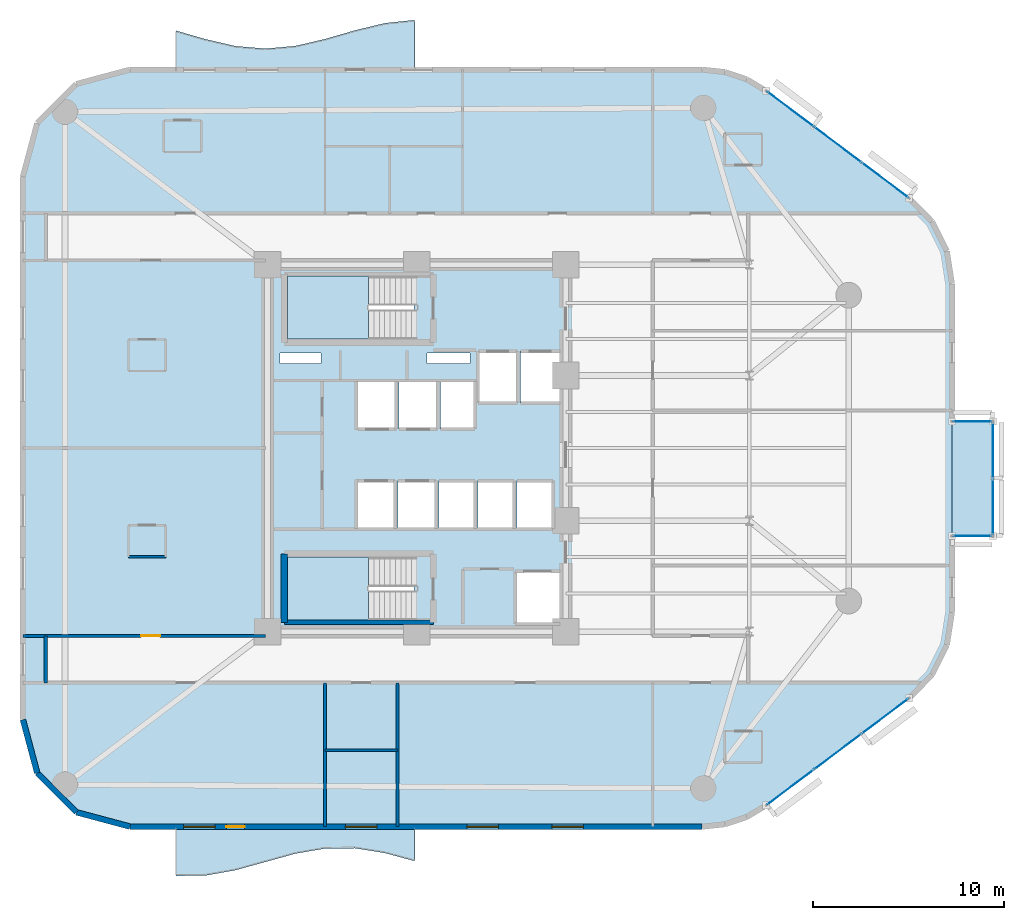
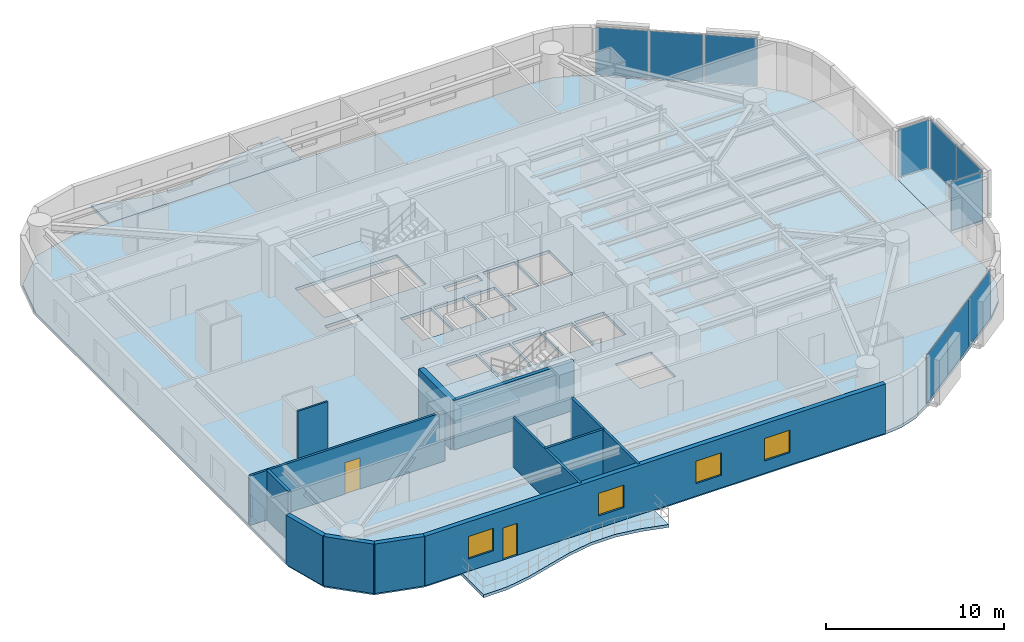
# One storey, part 7 of 13: 12 walls, 10 plates, 6 slabs, 4 windows, 2 doors, 6 openings, 7 elements without a shape of their own.
"""IFC4 building model written with IfcOpenShell, lengths in metres."""

import ifcopenshell
import ifcopenshell.guid

model = None  # the IFC model being written
_history = None  # IfcOwnerHistory: only IFC2X3 demands one
_inside = {}  # id of a spatial element -> (the spatial element, [elements in it])
_under = {}  # id of a project, library or spatial element -> (it, [spatial elements below it])
_declared = {}  # id of a project -> (the project, [libraries it declares])
_typed = {}  # id of a type object -> (the type object, [elements of that type])
_made_of = {}  # id of a material, layer set ... -> (it, [elements and type objects made of it])


def new_model(schema):
    """Start an empty IFC model of exactly this schema.

    Asked for "IFC4X3", IfcOpenShell would pick the latest addendum, in which some entities
    have other attributes; the version numbers below select the first issue.
    IFC2X3 requires an IfcOwnerHistory on every rooted entity: one is made here for all.
    """
    global model, _history
    if schema == "IFC4X3":
        model = ifcopenshell.file(schema_version=(4, 3, 0, 0))
    else:
        model = ifcopenshell.file(schema=schema)
    _inside.clear()
    _under.clear()
    _declared.clear()
    _typed.clear()
    _made_of.clear()
    _history = None
    if model.schema == "IFC2X3":
        org = make("IfcOrganization", Name="unknown")
        user = make(
            "IfcPersonAndOrganization",
            ThePerson=make("IfcPerson", FamilyName="unknown"),
            TheOrganization=org,
        )
        app = make(
            "IfcApplication",
            ApplicationDeveloper=org,
            Version="unknown",
            ApplicationFullName="unknown",
            ApplicationIdentifier="unknown",
        )
        _history = make(
            "IfcOwnerHistory",
            OwningUser=user,
            OwningApplication=app,
            ChangeAction="ADDED",
            CreationDate=0,
        )
    return model


def make(cls, **values):
    """One entity of the class cls with the attributes given. An attribute that is None is left unset."""
    return model.create_entity(
        cls, **{name: value for name, value in values.items() if value is not None}
    )


def rooted(cls, **values):
    """An entity with a GlobalId (a new one), such as an element, a storey or a relation."""
    return make(cls, GlobalId=ifcopenshell.guid.new(), OwnerHistory=_history, **values)


def si_unit(unit_type, name, prefix=None):
    """IfcSIUnit, for example si_unit("LENGTHUNIT", "METRE", prefix="MILLI")."""
    return make("IfcSIUnit", UnitType=unit_type, Prefix=prefix, Name=name)


def assignment(units):
    """IfcUnitAssignment: the units of a project."""
    return None if units is None else make("IfcUnitAssignment", Units=units)


def point(xyz):
    """IfcCartesianPoint."""
    return None if xyz is None else make("IfcCartesianPoint", Coordinates=xyz)


def direction(xyz):
    """IfcDirection."""
    return None if xyz is None else make("IfcDirection", DirectionRatios=xyz)


def frame(location, z_axis=None, x_axis=None):
    """IfcAxis2Placement3D, a coordinate frame: its origin and axes. An axis left out is left unset."""
    return make(
        "IfcAxis2Placement3D",
        Location=point(location),
        Axis=direction(z_axis),
        RefDirection=direction(x_axis),
    )


def frame_2d(location, x_axis=None):
    """IfcAxis2Placement2D, a coordinate frame in the plane: its origin and x axis."""
    return make(
        "IfcAxis2Placement2D", Location=point(location), RefDirection=direction(x_axis)
    )


def origin():
    """The frame at (0, 0, 0) with its axes left unset."""
    return frame((0.0, 0.0, 0.0))


def origin_2d():
    """The frame at (0, 0) in the plane with its x axis left unset."""
    return frame_2d((0.0, 0.0))


def place(relative_to, where):
    """IfcLocalPlacement: puts the frame where relative to a parent placement (None: the world)."""
    return make(
        "IfcLocalPlacement", PlacementRelTo=relative_to, RelativePlacement=where
    )


def context(
    kind, dimensions, precision=None, world=None, true_north=None, identifier=None
):
    """IfcGeometricRepresentationContext, for example the 3D "Model" context."""
    return make(
        "IfcGeometricRepresentationContext",
        ContextIdentifier=identifier,
        ContextType=kind,
        CoordinateSpaceDimension=dimensions,
        Precision=precision,
        WorldCoordinateSystem=world,
        TrueNorth=true_north,
    )


def subcontext(parent, identifier, kind, view, scale=None):
    """IfcGeometricRepresentationSubContext, for example "Body" below "Model"."""
    return make(
        "IfcGeometricRepresentationSubContext",
        ContextIdentifier=identifier,
        ContextType=kind,
        ParentContext=parent,
        TargetScale=scale,
        TargetView=view,
    )


def project(units=None, contexts=None):
    """IfcProject with its units and contexts."""
    return rooted(
        "IfcProject",
        Name="project",
        RepresentationContexts=contexts,
        UnitsInContext=assignment(units),
    )


def spatial(cls, under=None, at=None, **own):
    """A site, building, storey or space (cls), placed at a placement, below another one or the project."""
    s = rooted(cls, ObjectPlacement=at, **own)
    if under is not None:
        _under.setdefault(under.id(), (under, []))[1].append(s)
    return s


def polyline(points):
    """IfcPolyline through the points."""
    return make("IfcPolyline", Points=[point(p) for p in points])


def profile(cls, at=None, kind="AREA", **sizes):
    """A parametric profile (cls). Its sizes go by their IFC names, for example OverallWidth=200.0."""
    return make(cls, ProfileType=kind, Position=at, **sizes)


def rectangle(**sizes):
    """IfcRectangleProfileDef."""
    return profile("IfcRectangleProfileDef", **sizes)


def outline(outer, holes=None, kind="AREA"):
    """IfcArbitraryClosedProfileDef: a profile drawn as a closed curve; with holes, ...WithVoids."""
    if holes is None:
        return make("IfcArbitraryClosedProfileDef", ProfileType=kind, OuterCurve=outer)
    return make(
        "IfcArbitraryProfileDefWithVoids",
        ProfileType=kind,
        OuterCurve=outer,
        InnerCurves=holes,
    )


def extrude(swept, where, along, depth):
    """IfcExtrudedAreaSolid: the profile swept, set in the frame where, extruded along a direction by depth."""
    return make(
        "IfcExtrudedAreaSolid",
        SweptArea=swept,
        Position=where,
        ExtrudedDirection=direction(along),
        Depth=depth,
    )


def shape(context_of_items, identifier, shape_type, items):
    """IfcShapeRepresentation: the items that make up one representation, for example the "Body"."""
    return make(
        "IfcShapeRepresentation",
        ContextOfItems=context_of_items,
        RepresentationIdentifier=identifier,
        RepresentationType=shape_type,
        Items=items,
    )


def material(Name=None, Category=None):
    """IfcMaterial."""
    return make("IfcMaterial", Name=Name, Category=Category)


def layer(
    of_material, thickness, ventilated=None, Name=None, Category=None, Priority=None
):
    """IfcMaterialLayer: one layer of a wall or slab, of a material (None: an air gap)."""
    return make(
        "IfcMaterialLayer",
        Material=of_material,
        LayerThickness=thickness,
        IsVentilated=ventilated,
        Name=Name,
        Category=Category,
        Priority=Priority,
    )


def layer_set(layers, Name=None):
    """IfcMaterialLayerSet."""
    return make("IfcMaterialLayerSet", MaterialLayers=layers, LayerSetName=Name)


def made_of(thing, what):
    """Note that an element or type object is made of a material, layer set ...; save() writes the relation."""
    if what is not None:
        _made_of.setdefault(what.id(), (what, []))[1].append(thing)
    return thing


def type_object(cls, material=None, **own):
    """A type object (cls), such as IfcWallType, which elements share."""
    return made_of(rooted(cls, **own), material)


def element(
    cls,
    number,
    at=None,
    inside=None,
    cuts=None,
    type_object=None,
    material=None,
    context=None,
    identifier="Body",
    shape_type=None,
    held_by="IfcProductDefinitionShape",
    body=None,
    shapes=None,
    **own,
):
    """One element of the class cls, such as IfcWall. Its Tag is "e" and its number.

    at: its placement. inside: the storey or other place that contains it. cuts: it is an
    opening in that element (IfcRelVoidsElement). A single representation is given by context,
    identifier, shape_type and body (its items); several are given by shapes. held_by: the class
    of the entity that holds the representations. save() writes the other relations.
    """
    e = rooted(cls, Tag="e%d" % number, ObjectPlacement=at, **own)
    if body is not None:
        shapes = [shape(context, identifier, shape_type, body)]
    if shapes is not None:
        e.Representation = make(held_by, Representations=shapes)
    if inside is not None:
        _inside.setdefault(inside.id(), (inside, []))[1].append(e)
    if cuts is not None:
        rooted(
            "IfcRelVoidsElement", RelatingBuildingElement=cuts, RelatedOpeningElement=e
        )
    if type_object is not None:
        _typed.setdefault(type_object.id(), (type_object, []))[1].append(e)
    return made_of(e, material)


def fill(opening, filler):
    """IfcRelFillsElement: the door or window that sits in an opening."""
    return rooted(
        "IfcRelFillsElement",
        RelatingOpeningElement=opening,
        RelatedBuildingElement=filler,
    )


def aggregate(whole, parts):
    """IfcRelAggregates: a whole, such as a stair, and the parts it consists of."""
    return rooted("IfcRelAggregates", RelatingObject=whole, RelatedObjects=parts)


def save(model, path):
    """Write the relations noted so far, then the file.

    IfcRelAggregates (storeys below a building ...), IfcRelContainedInSpatialStructure (elements
    in a storey), IfcRelDefinesByType, IfcRelAssociatesMaterial and IfcRelDeclares: one each for
    every whole, place, type object, material and project.
    """
    for whole, parts in _under.values():
        aggregate(whole, parts)
    for where, things in _inside.values():
        rooted(
            "IfcRelContainedInSpatialStructure",
            RelatedElements=things,
            RelatingStructure=where,
        )
    for kind, things in _typed.values():
        rooted("IfcRelDefinesByType", RelatedObjects=things, RelatingType=kind)
    for what, things in _made_of.values():
        rooted("IfcRelAssociatesMaterial", RelatedObjects=things, RelatingMaterial=what)
    for by, libraries in _declared.values():
        rooted("IfcRelDeclares", RelatingContext=by, RelatedDefinitions=libraries)
    model.write(path)


model = new_model("IFC4")

# Units and contexts
model_context = context("Model", 3, precision=1e-05, world=origin(), true_north=direction((0.0, 1.0)))
body_context = subcontext(model_context, "Body", "Model", "MODEL_VIEW")
ifc_project = project(units=[si_unit("LENGTHUNIT", "METRE"), si_unit("AREAUNIT", "SQUARE_METRE"), si_unit("VOLUMEUNIT", "CUBIC_METRE"), si_unit("PLANEANGLEUNIT", "RADIAN"), si_unit("MASSUNIT", "GRAM", prefix="KILO")], contexts=[model_context])

# Site, building, storey
site_placement = place(None, origin())
site = spatial("IfcSite", under=ifc_project, at=site_placement, CompositionType="ELEMENT")
building_placement = place(site_placement, origin())
building = spatial("IfcBuilding", under=site, at=building_placement, Name="An Khanh Terracotta Commons", CompositionType="ELEMENT")
storey_placement = place(building_placement, frame((0.0, 0.0, 125.89990234375)))
storey = spatial("IfcBuildingStorey", under=building, at=storey_placement, Name="L33", CompositionType="ELEMENT", Elevation=125.89990234375)

# Curtain wall, plates
ifc_material_1 = material(Name="Anodised Aluminium 6063-T6", Category="aluminium")
ifc_layer_1 = layer(ifc_material_1, 0.199951171875, Name="Anodised Aluminium 6063-T6")
ifc_layer_set_1 = layer_set([ifc_layer_1], Name="Anodised Aluminium 6063-T6")
curtain_wall_type_1 = type_object("IfcCurtainWallType", Name="CW-SYS-02", PredefinedType="USERDEFINED", material=ifc_layer_set_1)
curtain_wall_1_placement = place(storey_placement, origin())
curtain_wall_1 = element("IfcCurtainWall", 1, at=curtain_wall_1_placement, inside=storey, type_object=curtain_wall_type_1, Name="L33 CW-02 Unitised Curtain Wall CW-L33-08", ObjectType="UNITISED CURTAIN WALL", PredefinedType="USERDEFINED")
ifc_material_2 = material(Name="Double Low-E Solar Control Glazing", Category="glass")
ifc_layer_2 = layer(ifc_material_2, 0.028076171875, Name="Double Low-E Solar Control Glazing")
ifc_layer_set_2 = layer_set([ifc_layer_2], Name="Double Low-E Solar Control Glazing")
plate_type_1 = type_object("IfcPlateType", Name="CWP-IGU-28", PredefinedType="CURTAIN_PANEL", material=ifc_layer_set_2)
plate_1_placement = place(storey_placement, frame((48.951416015625, 6.263916015625, 0.06005859375), z_axis=(0.0, 0.0, 1.0), x_axis=(0.800012856594, 0.599982857492, 0.0)))
plate_1 = element("IfcPlate", 2, at=plate_1_placement, type_object=plate_type_1, Name="CW-02 panel 1.1", PredefinedType="CURTAIN_PANEL", context=body_context, shape_type="SweptSolid", body=[
    extrude(rectangle(XDim=3.006103515625, YDim=0.028076171875, at=origin_2d()), origin(), (0.0, 0.0, 1.0), 3.280029296875),
])
plate_2_placement = place(storey_placement, frame((51.426513671875, 8.1201171875, 0.06005859375), z_axis=(0.0, 0.0, 1.0), x_axis=(0.800012856594, 0.599982857492, 0.0)))
plate_2 = element("IfcPlate", 3, at=plate_2_placement, type_object=plate_type_1, Name="CW-02 panel 2.1", PredefinedType="CURTAIN_PANEL", context=body_context, shape_type="SweptSolid", body=[
    extrude(rectangle(XDim=3.041259765625, YDim=0.028076171875, at=origin_2d()), origin(), (0.0, 0.0, 1.0), 3.280029296875),
])
plate_3_placement = place(storey_placement, frame((53.901611328125, 9.97607421875, 0.06005859375), z_axis=(0.0, 0.0, 1.0), x_axis=(0.800012856594, 0.599982857492, 0.0)))
plate_3 = element("IfcPlate", 4, at=plate_3_placement, type_object=plate_type_1, Name="CW-02 panel 3.1", PredefinedType="CURTAIN_PANEL", context=body_context, shape_type="SweptSolid", body=[
    extrude(rectangle(XDim=3.006103515625, YDim=0.028076171875, at=origin_2d()), origin(), (0.0, 0.0, 1.0), 3.280029296875),
])
aggregate(curtain_wall_1, [plate_1, plate_2, plate_3])

curtain_wall_2_placement = place(storey_placement, origin())
curtain_wall_2 = element("IfcCurtainWall", 5, at=curtain_wall_2_placement, inside=storey, type_object=curtain_wall_type_1, Name="L33 CW-02 Unitised Curtain Wall CW-L33-16", ObjectType="UNITISED CURTAIN WALL", PredefinedType="USERDEFINED")
plate_4_placement = place(storey_placement, frame((53.901611328125, 38.02392578125, 0.06005859375), z_axis=(0.0, 0.0, 1.0), x_axis=(-0.800012856594, 0.599982857492, 0.0)))
plate_4 = element("IfcPlate", 6, at=plate_4_placement, type_object=plate_type_1, Name="CW-02 panel 1.1", PredefinedType="CURTAIN_PANEL", context=body_context, shape_type="SweptSolid", body=[
    extrude(rectangle(XDim=3.006103515625, YDim=0.028076171875, at=origin_2d()), origin(), (0.0, 0.0, 1.0), 3.280029296875),
])
plate_5_placement = place(storey_placement, frame((51.426513671875, 39.8798828125, 0.06005859375), z_axis=(0.0, 0.0, 1.0), x_axis=(-0.800012856594, 0.599982857492, 0.0)))
plate_5 = element("IfcPlate", 7, at=plate_5_placement, type_object=plate_type_1, Name="CW-02 panel 2.1", PredefinedType="CURTAIN_PANEL", context=body_context, shape_type="SweptSolid", body=[
    extrude(rectangle(XDim=3.041259765625, YDim=0.028076171875, at=origin_2d()), origin(), (0.0, 0.0, 1.0), 3.280029296875),
])
plate_6_placement = place(storey_placement, frame((48.951416015625, 41.736083984375, 0.06005859375), z_axis=(0.0, 0.0, 1.0), x_axis=(-0.800012856594, 0.599982857492, 0.0)))
plate_6 = element("IfcPlate", 8, at=plate_6_placement, type_object=plate_type_1, Name="CW-02 panel 3.1", PredefinedType="CURTAIN_PANEL", context=body_context, shape_type="SweptSolid", body=[
    extrude(rectangle(XDim=3.006103515625, YDim=0.028076171875, at=origin_2d()), origin(), (0.0, 0.0, 1.0), 3.280029296875),
])
aggregate(curtain_wall_2, [plate_4, plate_5, plate_6])

ifc_layer_3 = layer(ifc_material_1, 0.239990234375, Name="Anodised Aluminium 6063-T6")
ifc_layer_set_3 = layer_set([ifc_layer_3], Name="Anodised Aluminium 6063-T6")
curtain_wall_type_2 = type_object("IfcCurtainWallType", Name="CW-SYS-04", PredefinedType="USERDEFINED", material=ifc_layer_set_3)
curtain_wall_3_placement = place(storey_placement, origin())
curtain_wall_3 = element("IfcCurtainWall", 9, at=curtain_wall_3_placement, inside=storey, type_object=curtain_wall_type_2, Name="L33 CW-04 Unitised Curtain Wall CW-L33-EBOX-1", ObjectType="UNITISED CURTAIN WALL", PredefinedType="USERDEFINED")
ifc_material_3 = material(Name="Triple-Silver Sky-Lobby Glazing", Category="glass")
ifc_layer_4 = layer(ifc_material_3, 0.0400390625, Name="Triple-Silver Sky-Lobby Glazing")
ifc_layer_set_4 = layer_set([ifc_layer_4], Name="Triple-Silver Sky-Lobby Glazing")
plate_type_2 = type_object("IfcPlateType", Name="CWP-IGU-40", PredefinedType="CURTAIN_PANEL", material=ifc_layer_set_4)
plate_7_placement = place(storey_placement, frame((59.550048828125, 20.916259765625, 0.06005859375), z_axis=(0.0, 0.0, 1.0), x_axis=(0.0, 1.0, 0.0)))
plate_7 = element("IfcPlate", 10, at=plate_7_placement, type_object=plate_type_2, Name="CW-04 panel 1.1", PredefinedType="CURTAIN_PANEL", context=body_context, shape_type="SweptSolid", body=[
    extrude(rectangle(XDim=2.902587890625, YDim=0.0400390625, at=origin_2d()), origin(), (0.0, 0.0, 1.0), 3.280029296875),
])
plate_8_placement = place(storey_placement, frame((59.550048828125, 23.8837890625, 0.06005859375), z_axis=(0.0, 0.0, 1.0), x_axis=(0.0, 1.0, 0.0)))
plate_8 = element("IfcPlate", 11, at=plate_8_placement, type_object=plate_type_2, Name="CW-04 panel 2.1", PredefinedType="CURTAIN_PANEL", context=body_context, shape_type="SweptSolid", body=[
    extrude(rectangle(XDim=2.902587890625, YDim=0.0400390625, at=origin_2d()), origin(), (0.0, 0.0, 1.0), 3.280029296875),
])
aggregate(curtain_wall_3, [plate_7, plate_8])

# Curtain wall, plate
curtain_wall_4_placement = place(storey_placement, origin())
curtain_wall_4 = element("IfcCurtainWall", 12, at=curtain_wall_4_placement, inside=storey, type_object=curtain_wall_type_2, Name="L33 CW-04 Unitised Curtain Wall CW-L33-EBOX-2", ObjectType="UNITISED CURTAIN WALL", PredefinedType="USERDEFINED")
plate_9_placement = place(storey_placement, frame((58.47509765625, 19.39990234375, 0.06005859375), z_axis=(0.0, 0.0, 1.0), x_axis=(1.0, 0.0, 0.0)))
plate_9 = element("IfcPlate", 13, at=plate_9_placement, type_object=plate_type_2, Name="CW-04 panel 1.1", PredefinedType="CURTAIN_PANEL", context=body_context, shape_type="SweptSolid", body=[
    extrude(rectangle(XDim=2.02001953125, YDim=0.0400390625, at=origin_2d()), origin(), (0.0, 0.0, 1.0), 3.280029296875),
])
aggregate(curtain_wall_4, [plate_9])

curtain_wall_5_placement = place(storey_placement, origin())
curtain_wall_5 = element("IfcCurtainWall", 14, at=curtain_wall_5_placement, inside=storey, type_object=curtain_wall_type_2, Name="L33 CW-04 Unitised Curtain Wall CW-L33-EBOX-3", ObjectType="UNITISED CURTAIN WALL", PredefinedType="USERDEFINED")
plate_10_placement = place(storey_placement, frame((58.47509765625, 25.39990234375, 0.06005859375), z_axis=(0.0, 0.0, 1.0), x_axis=(-1.0, 0.0, 0.0)))
plate_10 = element("IfcPlate", 15, at=plate_10_placement, type_object=plate_type_2, Name="CW-04 panel 1.1", PredefinedType="CURTAIN_PANEL", context=body_context, shape_type="SweptSolid", body=[
    extrude(rectangle(XDim=2.02001953125, YDim=0.0400390625, at=origin_2d()), origin(), (0.0, 0.0, 1.0), 3.280029296875),
])
aggregate(curtain_wall_5, [plate_10])

# Slabs
ifc_material_4 = material(Name="Concrete C40/50", Category="concrete")
ifc_layer_5 = layer(ifc_material_4, 0.199951171875, Name="Concrete C40/50")
ifc_layer_set_5 = layer_set([ifc_layer_5], Name="Concrete C40/50")
slab_type_1 = type_object("IfcSlabType", Name="SLAB-BALC-200", PredefinedType="FLOOR", material=ifc_layer_set_5)
slab_1_placement = place(storey_placement, frame((0.0, 0.0, -0.199951171875)))
element("IfcSlab", 16, at=slab_1_placement, inside=storey, type_object=slab_type_1, Name="L33 S Sinusoidal Wave Balcony Slab", PredefinedType="FLOOR", context=body_context, shape_type="SweptSolid", body=[
    extrude(outline(polyline([(16.800048828125, 4.199951171875), (16.800048828125, 1.6259765625), (18.363037109375, 1.64599609375), (19.925048828125, 1.923095703125), (21.488037109375, 2.35595703125), (23.050048828125, 2.787109375), (24.613037109375, 3.05810546875), (26.175048828125, 3.071044921875), (27.738037109375, 2.821044921875), (29.300048828125, 2.39892578125), (29.300048828125, 4.199951171875), (16.800048828125, 4.199951171875)])), origin(), (0.0, 0.0, 1.0), 0.199951171875),
])
slab_2_placement = place(storey_placement, frame((0.0, 0.0, -0.199951171875)))
element("IfcSlab", 17, at=slab_2_placement, inside=storey, type_object=slab_type_1, Name="L33 N Sinusoidal Wave Balcony Slab", PredefinedType="FLOOR", context=body_context, shape_type="SweptSolid", body=[
    extrude(outline(polyline([(29.300048828125, 43.800048828125), (29.300048828125, 46.39794921875), (27.738037109375, 46.23388671875), (26.175048828125, 45.85595703125), (24.613037109375, 45.403076171875), (23.050048828125, 45.0400390625), (21.488037109375, 44.89990234375), (19.925048828125, 45.032958984375), (18.363037109375, 45.39208984375), (16.800048828125, 45.843994140625), (16.800048828125, 43.800048828125), (29.300048828125, 43.800048828125)])), origin(), (0.0, 0.0, 1.0), 0.199951171875),
])

# Stair, slab
ifc_material_5 = material(Name="Precast concrete C40/50", Category="concrete")
stair_type = type_object("IfcStairType", Name="STAIR-CORE-1550", PredefinedType="HALF_TURN_STAIR", material=ifc_material_5)
stair_1_placement = place(storey_placement, origin())
stair_1 = element("IfcStair", 18, at=stair_1_placement, inside=storey, type_object=stair_type, Name="L33 Core Smokeproof Exit Stair ST-01", PredefinedType="HALF_TURN_STAIR")
ifc_layer_6 = layer(ifc_material_4, 0.18994140625, Name="Concrete C40/50")
ifc_layer_set_6 = layer_set([ifc_layer_6], Name="Concrete C40/50")
slab_type_2 = type_object("IfcSlabType", Name="SLAB-LANDING-190", PredefinedType="LANDING", material=ifc_layer_set_6)
slab_3_placement = place(storey_placement, frame((0.0, 0.0, 1.60009765625)))
slab_3 = element("IfcSlab", 19, at=slab_3_placement, type_object=slab_type_2, Name="ST-01 landing 1", PredefinedType="LANDING", context=body_context, shape_type="SweptSolid", body=[
    extrude(outline(polyline([(26.889892578125, 33.0), (22.64990234375, 33.0), (22.64990234375, 29.699951171875), (26.889892578125, 29.699951171875), (26.889892578125, 33.0)])), origin(), (0.0, 0.0, 1.0), 0.199951171875),
])
aggregate(stair_1, [slab_3])

stair_2_placement = place(storey_placement, origin())
stair_2 = element("IfcStair", 20, at=stair_2_placement, inside=storey, type_object=stair_type, Name="L33 Core Smokeproof Exit Stair ST-02", PredefinedType="HALF_TURN_STAIR")
slab_4_placement = place(storey_placement, frame((0.0, 0.0, 1.60009765625)))
slab_4 = element("IfcSlab", 21, at=slab_4_placement, type_object=slab_type_2, Name="ST-02 landing 1", PredefinedType="LANDING", context=body_context, shape_type="SweptSolid", body=[
    extrude(outline(polyline([(26.889892578125, 18.300048828125), (22.64990234375, 18.300048828125), (22.64990234375, 15.0), (26.889892578125, 15.0), (26.889892578125, 18.300048828125)])), origin(), (0.0, 0.0, 1.0), 0.199951171875),
])
aggregate(stair_2, [slab_4])

# Slabs
ifc_layer_7 = layer(ifc_material_4, 0.199951171875, Name="Concrete C40/50")
ifc_layer_set_7 = layer_set([ifc_layer_7], Name="Concrete C40/50")
slab_type_3 = type_object("IfcSlabType", Name="SLAB-TYP-200", PredefinedType="FLOOR", material=ifc_layer_set_7)
slab_5_placement = place(storey_placement, frame((0.0, 0.0, -0.199951171875)))
element("IfcSlab", 22, at=slab_5_placement, inside=storey, type_object=slab_type_3, Name="L33 Structural Floor Slab", PredefinedType="FLOOR", context=body_context, shape_type="SweptSolid", body=[
    extrude(outline(polyline([(8.800048828125, 9.800048828125), (9.550048828125, 7.0), (11.60009765625, 4.949951171875), (14.39990234375, 4.199951171875), (44.3330078125, 4.199951171875), (45.52490234375, 4.327880859375), (46.6630859375, 4.70703125), (47.693115234375, 5.320068359375), (55.159912109375, 10.919921875), (56.364013671875, 12.154052734375), (57.135009765625, 13.696044921875), (57.39990234375, 15.39990234375), (57.39990234375, 32.60009765625), (57.135009765625, 34.303955078125), (56.364013671875, 35.845947265625), (55.159912109375, 37.080078125), (47.693115234375, 42.679931640625), (46.6630859375, 43.29296875), (45.52490234375, 43.672119140625), (44.3330078125, 43.800048828125), (14.39990234375, 43.800048828125), (11.60009765625, 43.050048828125), (9.550048828125, 41.0), (8.800048828125, 38.199951171875), (8.800048828125, 9.800048828125)]), holes=[polyline([(22.64990234375, 29.699951171875), (29.27001953125, 29.699951171875), (29.27001953125, 33.0), (22.64990234375, 33.0), (22.64990234375, 29.699951171875)]), polyline([(22.64990234375, 15.0), (29.27001953125, 15.0), (29.27001953125, 18.300048828125), (22.64990234375, 18.300048828125), (22.64990234375, 15.0)]), polyline([(32.60009765625, 26.35009765625), (34.679931640625, 26.35009765625), (34.679931640625, 29.080078125), (32.60009765625, 29.080078125), (32.60009765625, 26.35009765625)]), polyline([(34.820068359375, 26.35009765625), (36.89990234375, 26.35009765625), (36.89990234375, 29.080078125), (34.820068359375, 29.080078125), (34.820068359375, 26.35009765625)]), polyline([(34.550048828125, 14.800048828125), (36.89990234375, 14.800048828125), (36.89990234375, 17.550048828125), (34.550048828125, 17.550048828125), (34.550048828125, 14.800048828125)]), polyline([(26.320068359375, 25.0), (28.340087890625, 25.0), (28.340087890625, 27.5), (26.320068359375, 27.5), (26.320068359375, 25.0)]), polyline([(28.47998046875, 25.0), (30.5, 25.0), (30.5, 27.5), (28.47998046875, 27.5), (28.47998046875, 25.0)]), polyline([(26.280029296875, 19.800048828125), (28.280029296875, 19.800048828125), (28.280029296875, 22.300048828125), (26.280029296875, 22.300048828125), (26.280029296875, 19.800048828125)]), polyline([(28.419921875, 19.800048828125), (30.419921875, 19.800048828125), (30.419921875, 22.300048828125), (28.419921875, 22.300048828125), (28.419921875, 19.800048828125)]), polyline([(30.639892578125, 25.0), (32.4599609375, 25.0), (32.4599609375, 27.5), (30.639892578125, 27.5), (30.639892578125, 25.0)]), polyline([(30.56005859375, 19.800048828125), (32.4599609375, 19.800048828125), (32.4599609375, 22.300048828125), (30.56005859375, 22.300048828125), (30.56005859375, 19.800048828125)]), polyline([(32.60009765625, 19.800048828125), (34.5, 19.800048828125), (34.5, 22.300048828125), (32.60009765625, 22.300048828125), (32.60009765625, 19.800048828125)]), polyline([(34.639892578125, 19.800048828125), (36.5400390625, 19.800048828125), (36.5400390625, 22.300048828125), (34.639892578125, 22.300048828125), (34.639892578125, 19.800048828125)]), polyline([(22.25, 28.419921875), (24.39990234375, 28.419921875), (24.39990234375, 28.97998046875), (22.25, 28.97998046875), (22.25, 28.419921875)]), polyline([(29.949951171875, 28.419921875), (32.199951171875, 28.419921875), (32.199951171875, 28.97998046875), (29.949951171875, 28.97998046875), (29.949951171875, 28.419921875)])]), origin(), (0.0, 0.0, 1.0), 0.199951171875),
])
slab_6_placement = place(storey_placement, frame((0.0, 0.0, -0.199951171875)))
element("IfcSlab", 23, at=slab_6_placement, inside=storey, type_object=slab_type_3, Name="L33 Shifted Social Kitchen Box Floor Slab", PredefinedType="FLOOR", context=body_context, shape_type="SweptSolid", body=[
    extrude(outline(polyline([(57.39990234375, 19.39990234375), (59.550048828125, 19.39990234375), (59.550048828125, 25.39990234375), (57.39990234375, 25.39990234375), (57.39990234375, 19.39990234375)])), origin(), (0.0, 0.0, 1.0), 0.199951171875),
])

# Walls
ifc_material_6 = material(Name="Fire-Rated Gypsum Board on Steel Stud", Category="steel")
ifc_layer_8 = layer(ifc_material_6, 0.179931640625, Name="Fire-Rated Gypsum Board on Steel Stud")
ifc_layer_set_8 = layer_set([ifc_layer_8], Name="Fire-Rated Gypsum Board on Steel Stud")
wall_type_1 = type_object("IfcWallType", Name="WALL-CORR-180", PredefinedType="PARTITIONING", material=ifc_layer_set_8)
wall_1_placement = place(storey_placement, frame((10.0, 11.719970703125, 0.0), z_axis=(0.0, 0.0, 1.0), x_axis=(0.0, 1.0, 0.0)))
element("IfcWall", 24, at=wall_1_placement, inside=storey, type_object=wall_type_1, Name="L33 Interior Partition IW-L33-E013", PredefinedType="PARTITIONING", context=body_context, shape_type="SweptSolid", body=[
    extrude(rectangle(XDim=2.4599609375, YDim=0.179931640625, at=frame_2d((1.22998046875, 0.0))), origin(), (0.0, 0.0, 1.0), 3.400146484375),
])
ifc_layer_9 = layer(ifc_material_5, 0.300048828125, Name="Precast concrete C40/50")
ifc_layer_set_9 = layer_set([ifc_layer_9], Name="Precast concrete C40/50")
wall_type_2 = type_object("IfcWallType", Name="WALL-EXT-300", PredefinedType="SOLIDWALL", material=ifc_layer_set_9)
wall_2_placement = place(storey_placement, frame((8.800048828125, 9.800048828125, 0.0), z_axis=(0.0, 0.0, 1.0), x_axis=(0.258731875344, -0.96594917914, 0.0)))
element("IfcWall", 25, at=wall_2_placement, inside=storey, type_object=wall_type_2, Name="L33 Insulated Terracotta Exterior Wall 1", PredefinedType="SOLIDWALL", context=body_context, shape_type="SweptSolid", body=[
    extrude(rectangle(XDim=2.898681640625, YDim=0.300048828125, at=frame_2d((1.44921875, 0.0))), origin(), (0.0, 0.0, 1.0), 3.400146484375),
])
wall_3_placement = place(storey_placement, frame((9.550048828125, 7.0, 0.0), z_axis=(0.0, 0.0, 1.0), x_axis=(0.707106781187, -0.707106781187, 0.0)))
element("IfcWall", 26, at=wall_3_placement, inside=storey, type_object=wall_type_2, Name="L33 Insulated Terracotta Exterior Wall 2", PredefinedType="SOLIDWALL", context=body_context, shape_type="SweptSolid", body=[
    extrude(rectangle(XDim=2.899169921875, YDim=0.300048828125, at=frame_2d((1.44970703125, 0.0))), origin(), (0.0, 0.0, 1.0), 3.400146484375),
])
wall_4_placement = place(storey_placement, frame((11.60009765625, 4.949951171875, 0.0), z_axis=(0.0, 0.0, 1.0), x_axis=(0.965943540406, -0.258752926066, 0.0)))
element("IfcWall", 27, at=wall_4_placement, inside=storey, type_object=wall_type_2, Name="L33 Insulated Terracotta Exterior Wall 3", PredefinedType="SOLIDWALL", context=body_context, shape_type="SweptSolid", body=[
    extrude(rectangle(XDim=2.8984375, YDim=0.300048828125, at=frame_2d((1.44921875, 0.0))), origin(), (0.0, 0.0, 1.0), 3.400146484375),
])

# Wall, openings, door, windows
wall_5_placement = place(storey_placement, frame((14.39990234375, 4.199951171875, 0.0), z_axis=(0.0, 0.0, 1.0), x_axis=(1.0, 0.0, 0.0)))
wall_5 = element("IfcWall", 28, at=wall_5_placement, inside=storey, type_object=wall_type_2, Name="L33 Insulated Terracotta Exterior Wall 4", PredefinedType="SOLIDWALL", context=body_context, shape_type="SweptSolid", body=[
    extrude(rectangle(XDim=29.93310546875, YDim=0.300048828125, at=frame_2d((14.966552734375, 0.0))), origin(), (0.0, 0.0, 1.0), 3.400146484375),
])
opening_1_placement = place(wall_5_placement, frame((5.050048828125, 0.0, 0.0)))
opening_1 = element("IfcOpeningElement", 29, at=opening_1_placement, cuts=wall_5, Name="Opening D-BAL", PredefinedType="OPENING", context=body_context, shape_type="SweptSolid", body=[
    extrude(rectangle(XDim=0.949951171875, YDim=2.199951171875, at=frame_2d((0.47509765625, 1.10009765625))), frame((0.0, 0.159912109375, 0.0), z_axis=(0.0, -1.0, 0.0), x_axis=(1.0, 0.0, 0.0)), (0.0, 0.0, 1.0), 0.320068359375),
])
opening_2_placement = place(wall_5_placement, frame((2.80810546875, 0.0, 0.85009765625)))
opening_2 = element("IfcOpeningElement", 30, at=opening_2_placement, cuts=wall_5, Name="Opening W-02", PredefinedType="OPENING", context=body_context, shape_type="SweptSolid", body=[
    extrude(rectangle(XDim=1.64990234375, YDim=1.550048828125, at=frame_2d((0.824951171875, 0.77490234375))), frame((0.0, 0.159912109375, 0.0), z_axis=(0.0, -1.0, 0.0), x_axis=(1.0, 0.0, 0.0)), (0.0, 0.0, 1.0), 0.320068359375),
])
opening_3_placement = place(wall_5_placement, frame((11.27490234375, 0.0, 0.85009765625)))
opening_3 = element("IfcOpeningElement", 31, at=opening_3_placement, cuts=wall_5, Name="Opening W-02", PredefinedType="OPENING", context=body_context, shape_type="SweptSolid", body=[
    extrude(rectangle(XDim=1.64990234375, YDim=1.550048828125, at=frame_2d((0.824951171875, 0.77490234375))), frame((0.0, 0.159912109375, 0.0), z_axis=(0.0, -1.0, 0.0), x_axis=(1.0, 0.0, 0.0)), (0.0, 0.0, 1.0), 0.320068359375),
])
opening_4_placement = place(wall_5_placement, frame((17.625, 0.0, 0.85009765625)))
opening_4 = element("IfcOpeningElement", 32, at=opening_4_placement, cuts=wall_5, Name="Opening W-02", PredefinedType="OPENING", context=body_context, shape_type="SweptSolid", body=[
    extrude(rectangle(XDim=1.64990234375, YDim=1.550048828125, at=frame_2d((0.824951171875, 0.77490234375))), frame((0.0, 0.159912109375, 0.0), z_axis=(0.0, -1.0, 0.0), x_axis=(1.0, 0.0, 0.0)), (0.0, 0.0, 1.0), 0.320068359375),
])
opening_5_placement = place(wall_5_placement, frame((22.074951171875, 0.0, 0.85009765625)))
opening_5 = element("IfcOpeningElement", 33, at=opening_5_placement, cuts=wall_5, Name="Opening W-02", PredefinedType="OPENING", context=body_context, shape_type="SweptSolid", body=[
    extrude(rectangle(XDim=1.64990234375, YDim=1.550048828125, at=frame_2d((0.824951171875, 0.77490234375))), frame((0.0, 0.159912109375, 0.0), z_axis=(0.0, -1.0, 0.0), x_axis=(1.0, 0.0, 0.0)), (0.0, 0.0, 1.0), 0.320068359375),
])
ifc_material_7 = material(Name="Thermally Broken Aluminium and Low-E Glass", Category="aluminium")
door_type_1 = type_object("IfcDoorType", Name="DOOR-BALC-950", OperationType="NOTDEFINED", PredefinedType="DOOR", material=ifc_material_7)
door_1_placement = place(opening_1_placement, origin())
door_1 = element("IfcDoor", 34, at=door_1_placement, inside=storey, type_object=door_type_1, Name="L33 S Wave Balcony Glazed Door", OperationType="SINGLE_SWING_LEFT", OverallHeight=2.199951171875, OverallWidth=0.949951171875, PredefinedType="DOOR", context=body_context, shape_type="SweptSolid", body=[
    extrude(rectangle(XDim=0.949951171875, YDim=2.199951171875, at=frame_2d((0.47509765625, 1.10009765625))), frame((0.0, 0.02490234375, 0.0), z_axis=(0.0, -1.0, 0.0), x_axis=(1.0, 0.0, 0.0)), (0.0, 0.0, 1.0), 0.050048828125),
])
fill(opening_1, door_1)
window_type = type_object("IfcWindowType", Name="WIN-Z2-1650x1550", PartitioningType="DOUBLE_PANEL_VERTICAL", PredefinedType="WINDOW", material=ifc_material_7)
window_1_placement = place(opening_2_placement, origin())
window_1 = element("IfcWindow", 35, at=window_1_placement, inside=storey, type_object=window_type, Name="L33 Operable Casement Window 4.1", OverallHeight=1.550048828125, OverallWidth=1.64990234375, PartitioningType="DOUBLE_PANEL_VERTICAL", PredefinedType="WINDOW", context=body_context, shape_type="SweptSolid", body=[
    extrude(rectangle(XDim=1.64990234375, YDim=1.550048828125, at=frame_2d((0.824951171875, 0.77490234375))), frame((0.0, 0.030029296875, 0.0), z_axis=(0.0, -1.0, 0.0), x_axis=(1.0, 0.0, 0.0)), (0.0, 0.0, 1.0), 0.06005859375),
])
fill(opening_2, window_1)
window_2_placement = place(opening_3_placement, origin())
window_2 = element("IfcWindow", 36, at=window_2_placement, inside=storey, type_object=window_type, Name="L33 Operable Casement Window 4.2", OverallHeight=1.550048828125, OverallWidth=1.64990234375, PartitioningType="DOUBLE_PANEL_VERTICAL", PredefinedType="WINDOW", context=body_context, shape_type="SweptSolid", body=[
    extrude(rectangle(XDim=1.64990234375, YDim=1.550048828125, at=frame_2d((0.824951171875, 0.77490234375))), frame((0.0, 0.030029296875, 0.0), z_axis=(0.0, -1.0, 0.0), x_axis=(1.0, 0.0, 0.0)), (0.0, 0.0, 1.0), 0.06005859375),
])
fill(opening_3, window_2)
window_3_placement = place(opening_4_placement, origin())
window_3 = element("IfcWindow", 37, at=window_3_placement, inside=storey, type_object=window_type, Name="L33 Operable Casement Window 4.3", OverallHeight=1.550048828125, OverallWidth=1.64990234375, PartitioningType="DOUBLE_PANEL_VERTICAL", PredefinedType="WINDOW", context=body_context, shape_type="SweptSolid", body=[
    extrude(rectangle(XDim=1.64990234375, YDim=1.550048828125, at=frame_2d((0.824951171875, 0.77490234375))), frame((0.0, 0.030029296875, 0.0), z_axis=(0.0, -1.0, 0.0), x_axis=(1.0, 0.0, 0.0)), (0.0, 0.0, 1.0), 0.06005859375),
])
fill(opening_4, window_3)
window_4_placement = place(opening_5_placement, origin())
window_4 = element("IfcWindow", 38, at=window_4_placement, inside=storey, type_object=window_type, Name="L33 Operable Casement Window 4.4", OverallHeight=1.550048828125, OverallWidth=1.64990234375, PartitioningType="DOUBLE_PANEL_VERTICAL", PredefinedType="WINDOW", context=body_context, shape_type="SweptSolid", body=[
    extrude(rectangle(XDim=1.64990234375, YDim=1.550048828125, at=frame_2d((0.824951171875, 0.77490234375))), frame((0.0, 0.030029296875, 0.0), z_axis=(0.0, -1.0, 0.0), x_axis=(1.0, 0.0, 0.0)), (0.0, 0.0, 1.0), 0.06005859375),
])
fill(opening_5, window_4)

# Wall
ifc_material_8 = material(Name="Acoustic Gypsum Board Partition")
ifc_layer_10 = layer(ifc_material_8, 0.14990234375, Name="Acoustic Gypsum Board Partition")
ifc_layer_set_10 = layer_set([ifc_layer_10], Name="Acoustic Gypsum Board Partition")
wall_type_3 = type_object("IfcWallType", Name="WALL-PART-150", PredefinedType="PARTITIONING", material=ifc_layer_set_10)
wall_6_placement = place(storey_placement, frame((24.60009765625, 8.199951171875, 0.0), z_axis=(0.0, 0.0, 1.0), x_axis=(1.0, 0.0, 0.0)))
element("IfcWall", 39, at=wall_6_placement, inside=storey, type_object=wall_type_3, Name="L33 Interior Partition IW-L33-E001", PredefinedType="PARTITIONING", context=body_context, shape_type="SweptSolid", body=[
    extrude(rectangle(XDim=3.7998046875, YDim=0.14990234375, at=frame_2d((1.89990234375, 0.0))), origin(), (0.0, 0.0, 1.0), 3.400146484375),
])

# Wall, opening, door
wall_7_placement = place(storey_placement, frame((8.800048828125, 14.179931640625, 0.0), z_axis=(0.0, 0.0, 1.0), x_axis=(1.0, 0.0, 0.0)))
wall_7 = element("IfcWall", 40, at=wall_7_placement, inside=storey, type_object=wall_type_3, Name="L33 Interior Partition IW-L33-E003", PredefinedType="PARTITIONING", context=body_context, shape_type="SweptSolid", body=[
    extrude(rectangle(XDim=12.679931640625, YDim=0.14990234375, at=frame_2d((6.33984375, 0.0))), origin(), (0.0, 0.0, 1.0), 3.400146484375),
])
opening_6_placement = place(wall_7_placement, frame((6.179931640625, 0.0, 0.0)))
opening_6 = element("IfcOpeningElement", 41, at=opening_6_placement, cuts=wall_7, Name="Opening D-UN", PredefinedType="OPENING", context=body_context, shape_type="SweptSolid", body=[
    extrude(rectangle(XDim=1.0, YDim=2.14990234375, at=frame_2d((0.5, 1.074951171875))), frame((0.0, 0.0849609375, 0.0), z_axis=(0.0, -1.0, 0.0), x_axis=(1.0, 0.0, 0.0)), (0.0, 0.0, 1.0), 0.169921875),
])
ifc_material_9 = material(Name="Solid-Core Hardwood Acoustic Fire Door", Category="wood")
door_type_2 = type_object("IfcDoorType", Name="DOOR-UNIT-1000", OperationType="NOTDEFINED", PredefinedType="DOOR", material=ifc_material_9)
door_2_placement = place(opening_6_placement, origin())
door_2 = element("IfcDoor", 42, at=door_2_placement, inside=storey, type_object=door_type_2, Name="L33 WW1 Kitchenette and Studio Apartment Door", OperationType="SINGLE_SWING_RIGHT", OverallHeight=2.14990234375, OverallWidth=1.0, PredefinedType="DOOR", context=body_context, shape_type="SweptSolid", body=[
    extrude(rectangle(XDim=1.0, YDim=2.14990234375, at=frame_2d((0.5, 1.074951171875))), frame((0.0, 0.02490234375, 0.0), z_axis=(0.0, -1.0, 0.0), x_axis=(1.0, 0.0, 0.0)), (0.0, 0.0, 1.0), 0.050048828125),
])
fill(opening_6, door_2)

# Walls
for number, where, z_axis, x_axis, name in (
    (43, (24.60009765625, 4.199951171875, 0.0), (0.0, 0.0, 1.0), (0.0, 1.0, 0.0), "L33 Interior Partition IW-L33-E015"),
    (44, (28.39990234375, 4.199951171875, 0.0), (0.0, 0.0, 1.0), (0.0, 1.0, 0.0), "L33 Interior Partition IW-L33-E018"),
):
    element("IfcWall", number, at=place(storey_placement, frame(where, z_axis=z_axis, x_axis=x_axis)), inside=storey, type_object=wall_type_3, Name=name, PredefinedType="PARTITIONING", context=body_context, shape_type="SweptSolid", body=[
        extrude(rectangle(XDim=7.52001953125, YDim=0.14990234375, at=frame_2d((3.760009765625, 0.0))), origin(), (0.0, 0.0, 1.0), 3.400146484375),
    ])
ifc_material_10 = material(Name="Acoustic Double-Stud Gypsum and Mineral Wool")
ifc_layer_11 = layer(ifc_material_10, 0.219970703125, Name="Acoustic Double-Stud Gypsum and Mineral Wool")
ifc_layer_set_11 = layer_set([ifc_layer_11], Name="Acoustic Double-Stud Gypsum and Mineral Wool")
wall_type_4 = type_object("IfcWallType", Name="WALL-PARTY-220", PredefinedType="PARTITIONING", material=ifc_layer_set_11)
wall_8_placement = place(storey_placement, frame((22.47998046875, 14.889892578125, 0.0), z_axis=(0.0, 0.0, 1.0), x_axis=(1.0, 0.0, 0.0)))
element("IfcWall", 45, at=wall_8_placement, inside=storey, type_object=wall_type_4, Name="L33 Core Wall STW-L33-S-S", PredefinedType="PARTITIONING", context=body_context, shape_type="SweptSolid", body=[
    extrude(rectangle(XDim=7.7900390625, YDim=0.219970703125, at=frame_2d((3.89501953125, 0.0))), origin(), (0.0, 0.0, 1.0), 3.400146484375),
])
ifc_material_11 = material(Name="Concrete C50/60", Category="concrete")
ifc_layer_12 = layer(ifc_material_11, 0.35009765625, Name="Concrete C50/60")
ifc_layer_set_12 = layer_set([ifc_layer_12], Name="Concrete C50/60")
wall_type_5 = type_object("IfcWallType", Name="WALL-SHAFT-350", PredefinedType="SOLIDWALL", material=ifc_layer_set_12)
wall_9_placement = place(storey_placement, frame((22.47998046875, 14.889892578125, 0.0), z_axis=(0.0, 0.0, 1.0), x_axis=(0.0, 1.0, 0.0)))
element("IfcWall", 46, at=wall_9_placement, inside=storey, type_object=wall_type_5, Name="L33 Core Wall STW-L33-S-W", PredefinedType="SOLIDWALL", context=body_context, shape_type="SweptSolid", body=[
    extrude(rectangle(XDim=3.580078125, YDim=0.35009765625, at=frame_2d((1.7900390625, 0.0))), origin(), (0.0, 0.0, 1.0), 3.400146484375),
])
ifc_material_12 = material(Name="Moisture-Resistant Cement Board Partition")
ifc_layer_13 = layer(ifc_material_12, 0.1201171875, Name="Moisture-Resistant Cement Board Partition")
ifc_layer_set_13 = layer_set([ifc_layer_13], Name="Moisture-Resistant Cement Board Partition")
wall_type_6 = type_object("IfcWallType", Name="WALL-WET-120", PredefinedType="PARTITIONING", material=ifc_layer_set_13)
wall_10_placement = place(storey_placement, frame((16.27490234375, 18.31494140625, 0.0), z_axis=(0.0, 0.0, 1.0), x_axis=(-1.0, 0.0, 0.0)))
element("IfcWall", 47, at=wall_10_placement, inside=storey, type_object=wall_type_6, Name="L33 Interior Partition IW-L33-WW1-BS", PredefinedType="PARTITIONING", context=body_context, shape_type="SweptSolid", body=[
    extrude(rectangle(XDim=1.949951171875, YDim=0.1201171875, at=frame_2d((0.97509765625, 0.0))), origin(), (0.0, 0.0, 1.0), 3.400146484375),
])

save(model, "model.ifc")
